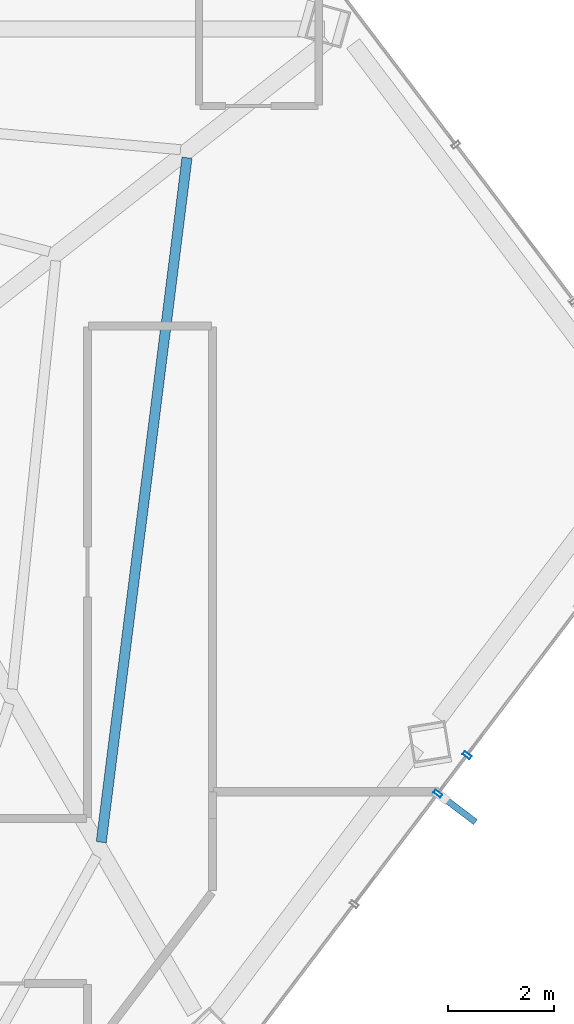
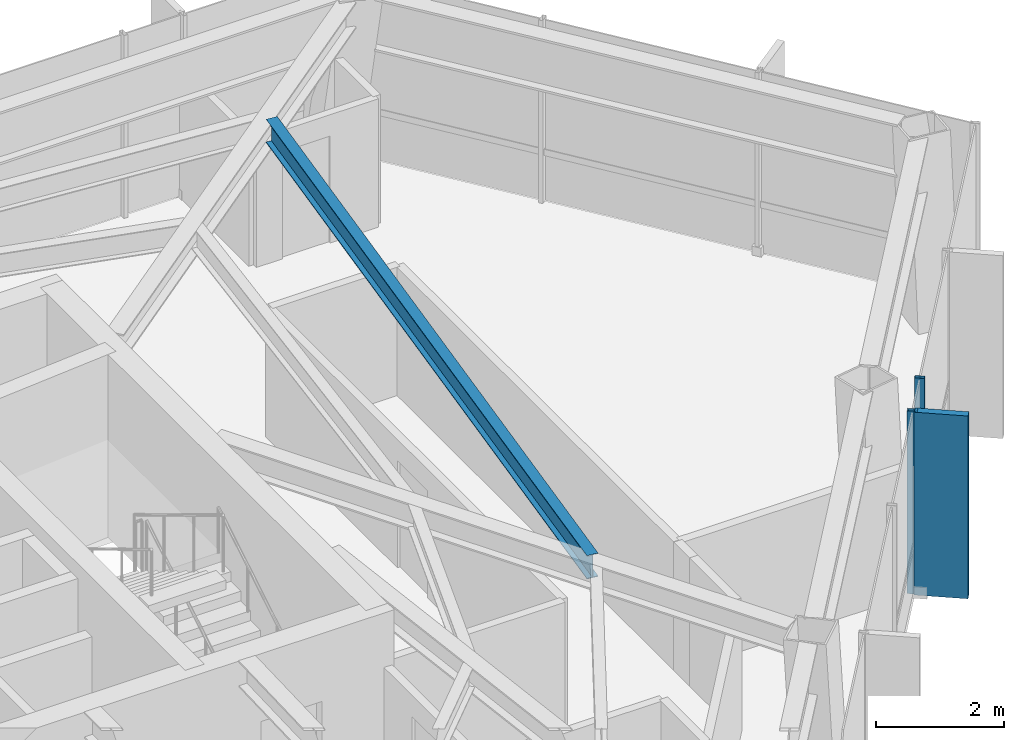
# One storey, part 19 of 27: 3 members, 1 beam, 1 element without a shape of its own.
"""IFC4 building model written with IfcOpenShell, lengths in metres."""

from ifc_helpers import new_model, si_unit, direction, frame, origin, origin_2d, place, context, subcontext, project, spatial, rectangle, hollow_rectangle, i_section, extrude, material, layer, layer_set, material_profile, profile_set, type_object, element, aggregate, save


model = new_model("IFC4")

# Units and contexts
model_context = context("Model", 3, precision=1e-05, world=origin(), true_north=direction((0.0, 1.0)))
body_context = subcontext(model_context, "Body", "Model", "MODEL_VIEW")
ifc_project = project(units=[si_unit("LENGTHUNIT", "METRE"), si_unit("AREAUNIT", "SQUARE_METRE"), si_unit("VOLUMEUNIT", "CUBIC_METRE"), si_unit("PLANEANGLEUNIT", "RADIAN"), si_unit("MASSUNIT", "GRAM", prefix="KILO")], contexts=[model_context])

# Site, building, storey
site_placement = place(None, origin())
site = spatial("IfcSite", under=ifc_project, at=site_placement, CompositionType="ELEMENT")
building_placement = place(site_placement, origin())
building = spatial("IfcBuilding", under=site, at=building_placement, Name="Zarrinselat Tower", CompositionType="ELEMENT")
storey_placement = place(building_placement, frame((0.0, 0.0, 172.0400390625)))
storey = spatial("IfcBuildingStorey", under=building, at=storey_placement, Name="L42", CompositionType="ELEMENT", Elevation=172.0400390625)

# Beam
ifc_material_1 = material(Name="Steel S355J2", Category="steel")
ifc_material_profile_1 = material_profile(ifc_material_1, i_section(OverallWidth=0.18994140625, OverallDepth=0.449951171875, WebThickness=0.009521484375, FlangeThickness=0.0146484375, at=origin_2d()), Name="IPE 450")
ifc_profile_set_1 = profile_set([ifc_material_profile_1], Name="Steel S355J2")
beam_type = type_object("IfcBeamType", Name="BM-IPE450", PredefinedType="JOIST", material=ifc_profile_set_1)
beam_placement = place(storey_placement, frame((51.90966796875, 32.80322265625, 3.27490234375), z_axis=(0.124345541619, 0.992238976396, 0.0), x_axis=(-0.992238976396, 0.124345541619, 0.0)))
element("IfcBeam", 1, at=beam_placement, inside=storey, type_object=beam_type, Name="L42 Composite Floor Joist 5-1", PredefinedType="JOIST", context=body_context, shape_type="SweptSolid", body=[
    extrude(i_section(OverallWidth=0.18994140625, OverallDepth=0.449951171875, WebThickness=0.009521484375, FlangeThickness=0.0146484375, at=origin_2d()), origin(), (0.0, 0.0, 1.0), 12.95458984375),
])

# Curtain wall, members
ifc_material_2 = material(Name="Extruded Aluminium Alloy EN AW-6063 T6", Category="aluminium")
ifc_layer = layer(ifc_material_2, 0.175048828125)
ifc_layer_set = layer_set([ifc_layer], Name="Extruded Aluminium Alloy EN AW-6063 T6")
curtain_wall_type = type_object("IfcCurtainWallType", Name="CWS-HTL", PredefinedType="NOTDEFINED", material=ifc_layer_set)
curtain_wall_placement = place(storey_placement, origin())
curtain_wall = element("IfcCurtainWall", 2, at=curtain_wall_placement, inside=storey, type_object=curtain_wall_type, Name="L42 Unitised Curtain Wall CW-L42-E05", PredefinedType="NOTDEFINED")
ifc_material_3 = material(Name="Extruded Aluminium Alloy EN AW-6063 T6", Category="aluminium")
ifc_material_profile_2 = material_profile(ifc_material_3, hollow_rectangle(XDim=0.070068359375, YDim=0.159912109375, WallThickness=0.00390625, at=origin_2d()), Name="RHS 160x70x4")
ifc_profile_set_2 = profile_set([ifc_material_profile_2], Name="Extruded Aluminium Alloy EN AW-6063 T6")
member_type_1 = type_object("IfcMemberType", Name="MEM-CW-MUL2", PredefinedType="MULLION", material=ifc_profile_set_2)
member_1_placement = place(storey_placement, frame((58.2314453125, 33.71630859375, 0.0), z_axis=(0.0, 0.0, 1.0), x_axis=(0.603858853713, 0.797091265033, 0.0)))
member_1 = element("IfcMember", 3, at=member_1_placement, type_object=member_type_1, Name="CW-L42-E05 Mullion 7", PredefinedType="MULLION", context=body_context, shape_type="SweptSolid", body=[
    extrude(hollow_rectangle(XDim=0.070068359375, YDim=0.159912109375, WallThickness=0.00390625, at=origin_2d()), origin(), (0.0, 0.0, 1.0), 3.5),
])
member_2_placement = place(storey_placement, frame((58.778564453125, 34.438720703125, 0.0), z_axis=(0.0, 0.0, 1.0), x_axis=(0.603858853713, 0.797091265033, 0.0)))
member_2 = element("IfcMember", 4, at=member_2_placement, type_object=member_type_1, Name="CW-L42-E05 Mullion 8", PredefinedType="MULLION", context=body_context, shape_type="SweptSolid", body=[
    extrude(hollow_rectangle(XDim=0.070068359375, YDim=0.159912109375, WallThickness=0.00390625, at=origin_2d()), origin(), (0.0, 0.0, 1.0), 3.5),
])
ifc_material_4 = material(Name="Honed Cream Travertine Stone", Category="masonry")
ifc_material_profile_3 = material_profile(ifc_material_4, rectangle(XDim=0.1201171875, YDim=0.85009765625, at=origin_2d()), Name="FIN 850x120")
ifc_profile_set_3 = profile_set([ifc_material_profile_3], Name="Honed Cream Travertine Stone")
member_type_2 = type_object("IfcMemberType", Name="MEM-STONE-FIN", PredefinedType="USERDEFINED", material=ifc_profile_set_3)
member_3_placement = place(storey_placement, frame((58.59814453125, 33.438720703125, 0.0), z_axis=(0.0, 0.0, 1.0), x_axis=(-0.603858853713, -0.797091265033, 0.0)))
member_3 = element("IfcMember", 5, at=member_3_placement, type_object=member_type_2, Name="L42 Stone Shading Fin CW-L42-E05-07", ObjectType="FIN", PredefinedType="USERDEFINED", context=body_context, shape_type="SweptSolid", body=[
    extrude(rectangle(XDim=0.1201171875, YDim=0.85009765625, at=origin_2d()), origin(), (0.0, 0.0, 1.0), 3.5),
])
aggregate(curtain_wall, [member_1, member_3, member_2])

save(model, "model.ifc")
